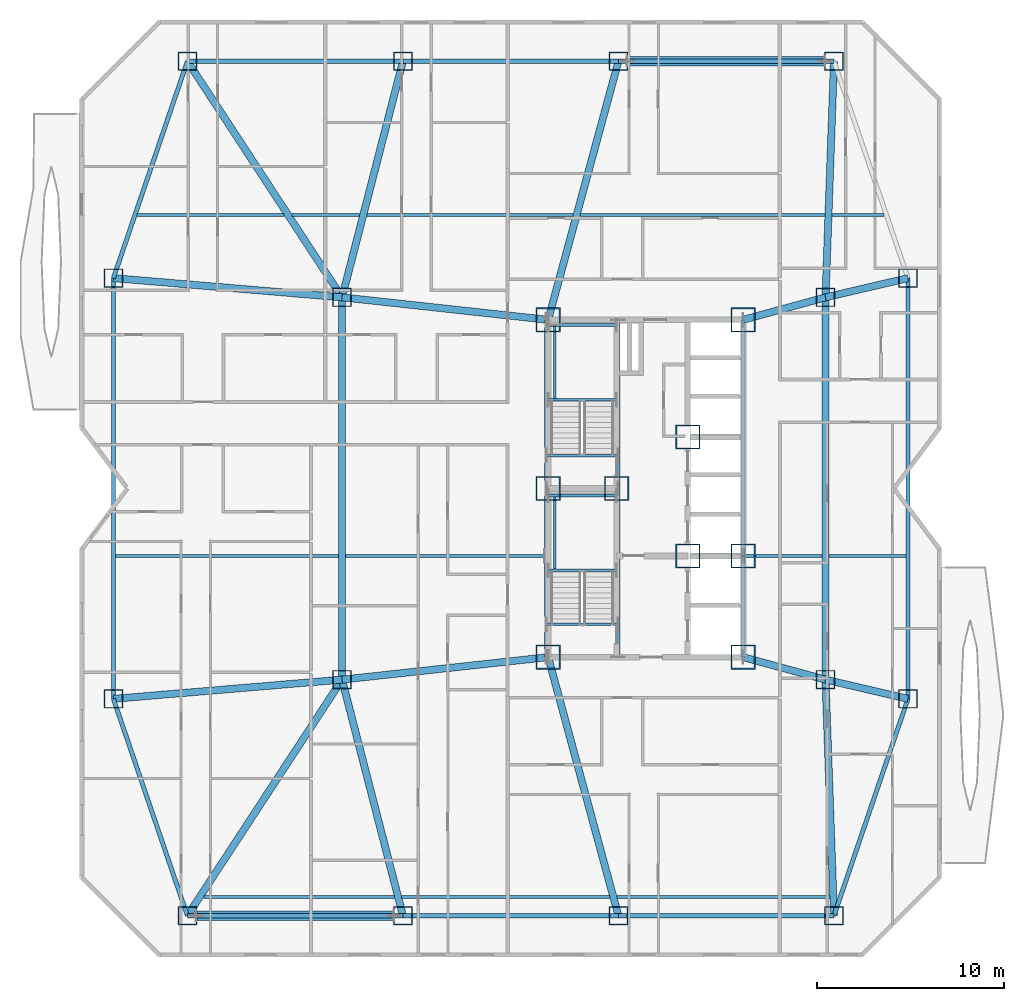
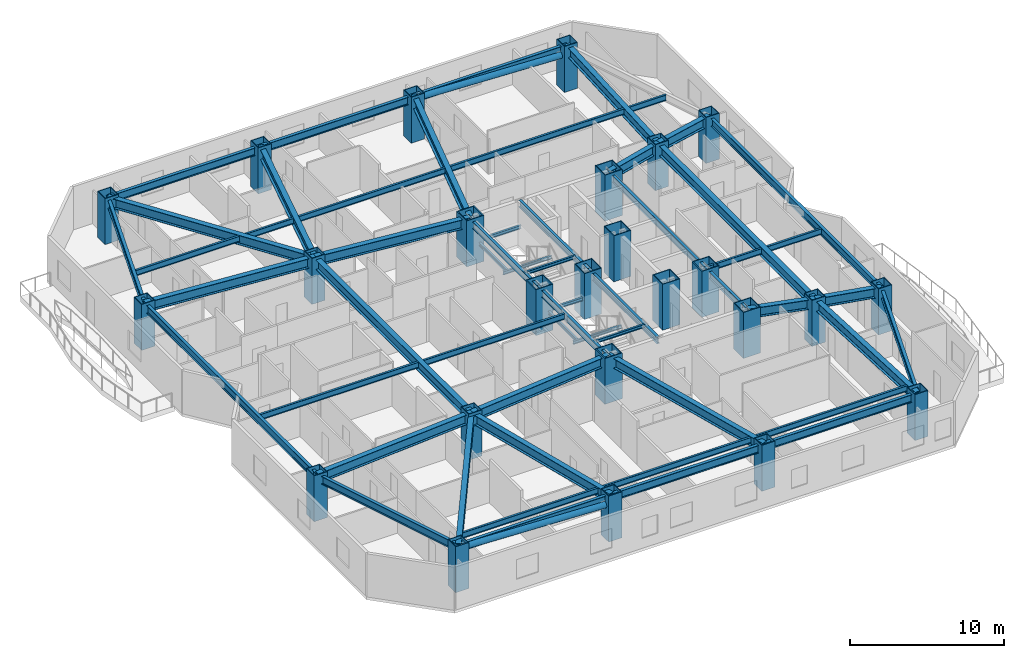
# One storey, part 1 of 16: 55 beams, 25 columns, 2 members.
"""IFC4 building model written with IfcOpenShell, lengths in metres."""

from ifc_helpers import new_model, si_unit, direction, frame, origin, origin_2d, place, context, subcontext, project, spatial, hollow_rectangle, hollow_circle, i_section, extrude, material, material_profile, profile_set, type_object, element, save


model = new_model("IFC4")

# Units and contexts
model_context = context("Model", 3, precision=1e-05, world=origin(), true_north=direction((0.0, 1.0)))
body_context = subcontext(model_context, "Body", "Model", "MODEL_VIEW")
ifc_project = project(units=[si_unit("LENGTHUNIT", "METRE"), si_unit("AREAUNIT", "SQUARE_METRE"), si_unit("VOLUMEUNIT", "CUBIC_METRE"), si_unit("PLANEANGLEUNIT", "RADIAN"), si_unit("MASSUNIT", "GRAM", prefix="KILO")], contexts=[model_context])

# Site, building, storey
site_placement = place(None, origin())
site = spatial("IfcSite", under=ifc_project, at=site_placement, CompositionType="ELEMENT")
building_placement = place(site_placement, origin())
building = spatial("IfcBuilding", under=site, at=building_placement, Name="Khamvora Tower", CompositionType="ELEMENT")
storey_placement = place(building_placement, frame((0.0, 0.0, 77.10009765625)))
storey = spatial("IfcBuildingStorey", under=building, at=storey_placement, Name="L19", CompositionType="ELEMENT", Elevation=77.10009765625)

# Columns
ifc_material_1 = material(Name="Steel S355", Category="steel")
ifc_material_profile_1 = material_profile(ifc_material_1, hollow_rectangle(XDim=1.0, YDim=1.0, WallThickness=0.050048828125, at=origin_2d()), Name="BOX1000x1000x50")
ifc_profile_set_1 = profile_set([ifc_material_profile_1], Name="Steel S355")
column_type_1 = type_object("IfcColumnType", Name="COL-BOX1000", PredefinedType="COLUMN", material=ifc_profile_set_1)
for number, where, z_axis, x_axis, name in (
    (1, (9.75, 5.199951171875, 0.0), (0.0, 0.0, 1.0), (1.0, 0.0, 0.0), "L19 structural frame column S1"),
    (2, (21.25, 5.199951171875, 0.0), (0.0, 0.0, 1.0), (1.0, 0.0, 0.0), "L19 structural frame column S2"),
    (3, (32.75, 5.199951171875, 0.0), (0.0, 0.0, 1.0), (1.0, 0.0, 0.0), "L19 structural frame column S3"),
    (4, (44.25, 5.199951171875, 0.0), (0.0, 0.0, 1.0), (1.0, 0.0, 0.0), "L19 structural frame column S4"),
    (5, (9.75, 50.800048828125, 0.0), (0.0, 0.0, 1.0), (1.0, 0.0, 0.0), "L19 structural frame column N1"),
    (6, (21.25, 50.800048828125, 0.0), (0.0, 0.0, 1.0), (1.0, 0.0, 0.0), "L19 structural frame column N2"),
    (7, (32.75, 50.800048828125, 0.0), (0.0, 0.0, 1.0), (1.0, 0.0, 0.0), "L19 structural frame column N3"),
    (8, (44.25, 50.800048828125, 0.0), (0.0, 0.0, 1.0), (1.0, 0.0, 0.0), "L19 structural frame column N4"),
    (9, (5.800048828125, 16.77490234375, 0.0), (0.0, 0.0, 1.0), (1.0, 0.0, 0.0), "L19 structural frame column W1"),
    (10, (5.800048828125, 39.22509765625, 0.0), (0.0, 0.0, 1.0), (1.0, 0.0, 0.0), "L19 structural frame column W2"),
    (11, (48.199951171875, 16.77490234375, 0.0), (0.0, 0.0, 1.0), (1.0, 0.0, 0.0), "L19 structural frame column E1"),
    (12, (48.199951171875, 39.22509765625, 0.0), (0.0, 0.0, 1.0), (1.0, 0.0, 0.0), "L19 structural frame column E2"),
    (13, (18.0, 17.800048828125, 0.0), (0.0, 0.0, 1.0), (1.0, 0.0, 0.0), "L19 structural frame column MW1"),
    (14, (18.0, 38.199951171875, 0.0), (0.0, 0.0, 1.0), (1.0, 0.0, 0.0), "L19 structural frame column MW2"),
    (15, (43.800048828125, 17.800048828125, 0.0), (0.0, 0.0, 1.0), (1.0, 0.0, 0.0), "L19 structural frame column M1"),
    (16, (43.800048828125, 38.199951171875, 0.0), (0.0, 0.0, 1.0), (1.0, 0.0, 0.0), "L19 structural frame column M2"),
):
    element("IfcColumn", number, at=place(storey_placement, frame(where, z_axis=z_axis, x_axis=x_axis)), inside=storey, type_object=column_type_1, Name=name, PredefinedType="COLUMN", context=body_context, shape_type="SweptSolid", body=[
        extrude(hollow_rectangle(XDim=1.0, YDim=1.0, WallThickness=0.050048828125, at=origin_2d()), origin(), (0.0, 0.0, 1.0), 3.64990234375),
    ])
ifc_material_2 = material(Name="Steel S460", Category="steel")
ifc_material_profile_2 = material_profile(ifc_material_2, hollow_rectangle(XDim=1.300048828125, YDim=1.300048828125, WallThickness=0.06494140625, at=origin_2d()), Name="BOX1300x1300x65")
ifc_profile_set_2 = profile_set([ifc_material_profile_2], Name="Steel S460")
column_type_2 = type_object("IfcColumnType", Name="COL-BOX1300", PredefinedType="COLUMN", material=ifc_profile_set_2)
for number, where, z_axis, x_axis, name in (
    (17, (29.0, 19.0, 0.0), (0.0, 0.0, 1.0), (1.0, 0.0, 0.0), "L19 plumb core spine column SC1"),
    (18, (32.64990234375, 28.0, 0.0), (0.0, 0.0, 1.0), (1.0, 0.0, 0.0), "L19 plumb core spine column SC2"),
    (19, (39.39990234375, 19.0, 0.0), (0.0, 0.0, 1.0), (1.0, 0.0, 0.0), "L19 plumb core spine column SC3"),
    (20, (29.0, 28.0, 0.0), (0.0, 0.0, 1.0), (1.0, 0.0, 0.0), "L19 plumb core spine column SC4"),
    (21, (36.449951171875, 24.39990234375, 0.0), (0.0, 0.0, 1.0), (1.0, 0.0, 0.0), "L19 plumb core spine column SC5"),
    (22, (39.39990234375, 24.39990234375, 0.0), (0.0, 0.0, 1.0), (1.0, 0.0, 0.0), "L19 plumb core spine column SC6"),
    (23, (29.0, 37.0, 0.0), (0.0, 0.0, 1.0), (1.0, 0.0, 0.0), "L19 plumb core spine column SC7"),
    (24, (36.449951171875, 30.75, 0.0), (0.0, 0.0, 1.0), (1.0, 0.0, 0.0), "L19 plumb core spine column SC8"),
    (25, (39.39990234375, 37.0, 0.0), (0.0, 0.0, 1.0), (1.0, 0.0, 0.0), "L19 plumb core spine column SC9"),
):
    element("IfcColumn", number, at=place(storey_placement, frame(where, z_axis=z_axis, x_axis=x_axis)), inside=storey, type_object=column_type_2, Name=name, PredefinedType="COLUMN", context=body_context, shape_type="SweptSolid", body=[
        extrude(hollow_rectangle(XDim=1.300048828125, YDim=1.300048828125, WallThickness=0.06494140625, at=origin_2d()), origin(), (0.0, 0.0, 1.0), 3.64990234375),
    ])

# Beams
ifc_material_profile_3 = material_profile(ifc_material_1, i_section(OverallWidth=0.154052734375, OverallDepth=0.458984375, WebThickness=0.009033203125, FlangeThickness=0.014892578125, FilletRadius=0.011962890625, at=origin_2d()), Name="W460x68")
ifc_profile_set_3 = profile_set([ifc_material_profile_3], Name="Steel S355")
beam_type_1 = type_object("IfcBeamType", Name="BM-JS-W460x68", PredefinedType="JOIST", material=ifc_profile_set_3)
beam_1_placement = place(storey_placement, frame((10.626953125, 6.199951171875, 3.199951171875), z_axis=(1.0, 0.0, 0.0), x_axis=(0.0, 1.0, 0.0)))
element("IfcBeam", 26, at=beam_1_placement, inside=storey, type_object=beam_type_1, Name="L19 secondary floor joist 01", PredefinedType="JOIST", context=body_context, shape_type="SweptSolid", body=[
    extrude(i_section(OverallWidth=0.154052734375, OverallDepth=0.458984375, WebThickness=0.009033203125, FlangeThickness=0.014892578125, FilletRadius=0.011962890625, at=origin_2d()), origin(), (0.0, 0.0, 1.0), 10.173095703125),
])
beam_2_placement = place(storey_placement, frame((21.18408203125, 6.199951171875, 3.199951171875), z_axis=(1.0, 0.0, 0.0), x_axis=(0.0, 1.0, 0.0)))
element("IfcBeam", 27, at=beam_2_placement, inside=storey, type_object=beam_type_1, Name="L19 secondary floor joist 02", PredefinedType="JOIST", context=body_context, shape_type="SweptSolid", body=[
    extrude(i_section(OverallWidth=0.154052734375, OverallDepth=0.458984375, WebThickness=0.009033203125, FlangeThickness=0.014892578125, FilletRadius=0.011962890625, at=origin_2d()), origin(), (0.0, 0.0, 1.0), 11.101806640625),
])
beam_3_placement = place(storey_placement, frame((32.6708984375, 6.199951171875, 3.199951171875), z_axis=(1.0, 0.0, 0.0), x_axis=(0.0, 1.0, 0.0)))
element("IfcBeam", 28, at=beam_3_placement, inside=storey, type_object=beam_type_1, Name="L19 secondary floor joist 03", PredefinedType="JOIST", context=body_context, shape_type="SweptSolid", body=[
    extrude(i_section(OverallWidth=0.154052734375, OverallDepth=0.458984375, WebThickness=0.009033203125, FlangeThickness=0.014892578125, FilletRadius=0.011962890625, at=origin_2d()), origin(), (0.0, 0.0, 1.0), 11.358154296875),
])
beam_4_placement = place(storey_placement, frame((5.909912109375, 24.39990234375, 3.199951171875), z_axis=(1.0, 0.0, 0.0), x_axis=(0.0, 1.0, 0.0)))
element("IfcBeam", 29, at=beam_4_placement, inside=storey, type_object=beam_type_1, Name="L19 secondary floor joist 04", PredefinedType="JOIST", context=body_context, shape_type="SweptSolid", body=[
    extrude(i_section(OverallWidth=0.154052734375, OverallDepth=0.458984375, WebThickness=0.009033203125, FlangeThickness=0.014892578125, FilletRadius=0.011962890625, at=origin_2d()), origin(), (0.0, 0.0, 1.0), 11.904052734375),
])
beam_5_placement = place(storey_placement, frame((18.18603515625, 24.39990234375, 3.199951171875), z_axis=(1.0, 0.0, 0.0), x_axis=(0.0, 1.0, 0.0)))
element("IfcBeam", 30, at=beam_5_placement, inside=storey, type_object=beam_type_1, Name="L19 secondary floor joist 05", PredefinedType="JOIST", context=body_context, shape_type="SweptSolid", body=[
    extrude(i_section(OverallWidth=0.154052734375, OverallDepth=0.458984375, WebThickness=0.009033203125, FlangeThickness=0.014892578125, FilletRadius=0.011962890625, at=origin_2d()), origin(), (0.0, 0.0, 1.0), 10.614013671875),
])
beam_6_placement = place(storey_placement, frame((39.4990234375, 24.39990234375, 3.199951171875), z_axis=(1.0, 0.0, 0.0), x_axis=(0.0, 1.0, 0.0)))
element("IfcBeam", 31, at=beam_6_placement, inside=storey, type_object=beam_type_1, Name="L19 secondary floor joist 06", PredefinedType="JOIST", context=body_context, shape_type="SweptSolid", body=[
    extrude(i_section(OverallWidth=0.154052734375, OverallDepth=0.458984375, WebThickness=0.009033203125, FlangeThickness=0.014892578125, FilletRadius=0.011962890625, at=origin_2d()), origin(), (0.0, 0.0, 1.0), 4.114990234375),
])
beam_7_placement = place(storey_placement, frame((43.985107421875, 24.39990234375, 3.199951171875), z_axis=(1.0, 0.0, 0.0), x_axis=(0.0, 1.0, 0.0)))
element("IfcBeam", 32, at=beam_7_placement, inside=storey, type_object=beam_type_1, Name="L19 secondary floor joist 07", PredefinedType="JOIST", context=body_context, shape_type="SweptSolid", body=[
    extrude(i_section(OverallWidth=0.154052734375, OverallDepth=0.458984375, WebThickness=0.009033203125, FlangeThickness=0.014892578125, FilletRadius=0.011962890625, at=origin_2d()), origin(), (0.0, 0.0, 1.0), 4.10498046875),
])
beam_8_placement = place(storey_placement, frame((7.068115234375, 42.60009765625, 3.199951171875), z_axis=(1.0, 0.0, 0.0), x_axis=(0.0, 1.0, 0.0)))
element("IfcBeam", 33, at=beam_8_placement, inside=storey, type_object=beam_type_1, Name="L19 secondary floor joist 08", PredefinedType="JOIST", context=body_context, shape_type="SweptSolid", body=[
    extrude(i_section(OverallWidth=0.154052734375, OverallDepth=0.458984375, WebThickness=0.009033203125, FlangeThickness=0.014892578125, FilletRadius=0.011962890625, at=origin_2d()), origin(), (0.0, 0.0, 1.0), 7.827880859375),
])
beam_9_placement = place(storey_placement, frame((15.342041015625, 42.60009765625, 3.199951171875), z_axis=(1.0, 0.0, 0.0), x_axis=(0.0, 1.0, 0.0)))
element("IfcBeam", 34, at=beam_9_placement, inside=storey, type_object=beam_type_1, Name="L19 secondary floor joist 09", PredefinedType="JOIST", context=body_context, shape_type="SweptSolid", body=[
    extrude(i_section(OverallWidth=0.154052734375, OverallDepth=0.458984375, WebThickness=0.009033203125, FlangeThickness=0.014892578125, FilletRadius=0.011962890625, at=origin_2d()), origin(), (0.0, 0.0, 1.0), 3.60107421875),
])
beam_10_placement = place(storey_placement, frame((19.326904296875, 42.60009765625, 3.199951171875), z_axis=(1.0, 0.0, 0.0), x_axis=(0.0, 1.0, 0.0)))
element("IfcBeam", 35, at=beam_10_placement, inside=storey, type_object=beam_type_1, Name="L19 secondary floor joist 10", PredefinedType="JOIST", context=body_context, shape_type="SweptSolid", body=[
    extrude(i_section(OverallWidth=0.154052734375, OverallDepth=0.458984375, WebThickness=0.009033203125, FlangeThickness=0.014892578125, FilletRadius=0.011962890625, at=origin_2d()), origin(), (0.0, 0.0, 1.0), 11.002197265625),
])
beam_11_placement = place(storey_placement, frame((30.714111328125, 42.60009765625, 3.199951171875), z_axis=(1.0, 0.0, 0.0), x_axis=(0.0, 1.0, 0.0)))
element("IfcBeam", 36, at=beam_11_placement, inside=storey, type_object=beam_type_1, Name="L19 secondary floor joist 11", PredefinedType="JOIST", context=body_context, shape_type="SweptSolid", body=[
    extrude(i_section(OverallWidth=0.154052734375, OverallDepth=0.458984375, WebThickness=0.009033203125, FlangeThickness=0.014892578125, FilletRadius=0.011962890625, at=origin_2d()), origin(), (0.0, 0.0, 1.0), 13.057861328125),
])
beam_12_placement = place(storey_placement, frame((44.14306640625, 42.60009765625, 3.199951171875), z_axis=(1.0, 0.0, 0.0), x_axis=(0.0, 1.0, 0.0)))
element("IfcBeam", 37, at=beam_12_placement, inside=storey, type_object=beam_type_1, Name="L19 secondary floor joist 12", PredefinedType="JOIST", context=body_context, shape_type="SweptSolid", body=[
    extrude(i_section(OverallWidth=0.154052734375, OverallDepth=0.458984375, WebThickness=0.009033203125, FlangeThickness=0.014892578125, FilletRadius=0.011962890625, at=origin_2d()), origin(), (0.0, 0.0, 1.0), 2.788818359375),
])
ifc_material_profile_4 = material_profile(ifc_material_1, i_section(OverallWidth=0.14697265625, OverallDepth=0.261962890625, WebThickness=0.007080078125, FlangeThickness=0.010986328125, FilletRadius=0.008056640625, at=origin_2d()), Name="W250x39")
ifc_profile_set_4 = profile_set([ifc_material_profile_4], Name="Steel S355")
beam_type_2 = type_object("IfcBeamType", Name="BM-LN-W250x39", PredefinedType="LINTEL", material=ifc_profile_set_4)
for number, where, z_axis, x_axis, name in (
    (38, (29.0, 23.635009765625, 1.493896484375), (1.0, 0.0, 0.0), (0.0, 1.0, 0.0), "L19 ST-01 half-landing support beam 1.1"),
    (39, (29.0, 27.6298828125, 1.493896484375), (1.0, 0.0, 0.0), (0.0, 1.0, 0.0), "L19 ST-01 half-landing support beam 1.2"),
):
    element("IfcBeam", number, at=place(storey_placement, frame(where, z_axis=z_axis, x_axis=x_axis)), inside=storey, type_object=beam_type_2, Name=name, PredefinedType="LINTEL", context=body_context, shape_type="SweptSolid", body=[
        extrude(i_section(OverallWidth=0.14697265625, OverallDepth=0.261962890625, WebThickness=0.007080078125, FlangeThickness=0.010986328125, FilletRadius=0.008056640625, at=origin_2d()), origin(), (0.0, 0.0, 1.0), 3.64990234375),
    ])
beam_13_placement = place(storey_placement, frame((29.35009765625, 23.635009765625, 1.493896484375), z_axis=(0.0, 1.0, 0.0), x_axis=(-1.0, 0.0, 0.0)))
element("IfcBeam", 40, at=beam_13_placement, inside=storey, type_object=beam_type_2, Name="L19 ST-01 half-landing edge stringer 1", PredefinedType="LINTEL", context=body_context, shape_type="SweptSolid", body=[
    extrude(i_section(OverallWidth=0.14697265625, OverallDepth=0.261962890625, WebThickness=0.007080078125, FlangeThickness=0.010986328125, FilletRadius=0.008056640625, at=origin_2d()), origin(), (0.0, 0.0, 1.0), 3.994873046875),
])
for number, where, z_axis, x_axis, name in (
    (41, (29.0, 32.735107421875, 1.493896484375), (1.0, 0.0, 0.0), (0.0, 1.0, 0.0), "L19 ST-02 half-landing support beam 1.1"),
    (42, (29.0, 36.72998046875, 1.493896484375), (1.0, 0.0, 0.0), (0.0, 1.0, 0.0), "L19 ST-02 half-landing support beam 1.2"),
):
    element("IfcBeam", number, at=place(storey_placement, frame(where, z_axis=z_axis, x_axis=x_axis)), inside=storey, type_object=beam_type_2, Name=name, PredefinedType="LINTEL", context=body_context, shape_type="SweptSolid", body=[
        extrude(i_section(OverallWidth=0.14697265625, OverallDepth=0.261962890625, WebThickness=0.007080078125, FlangeThickness=0.010986328125, FilletRadius=0.008056640625, at=origin_2d()), origin(), (0.0, 0.0, 1.0), 3.64990234375),
    ])
beam_14_placement = place(storey_placement, frame((29.35009765625, 32.735107421875, 1.493896484375), z_axis=(0.0, 1.0, 0.0), x_axis=(-1.0, 0.0, 0.0)))
element("IfcBeam", 43, at=beam_14_placement, inside=storey, type_object=beam_type_2, Name="L19 ST-02 half-landing edge stringer 1", PredefinedType="LINTEL", context=body_context, shape_type="SweptSolid", body=[
    extrude(i_section(OverallWidth=0.14697265625, OverallDepth=0.261962890625, WebThickness=0.007080078125, FlangeThickness=0.010986328125, FilletRadius=0.008056640625, at=origin_2d()), origin(), (0.0, 0.0, 1.0), 3.994873046875),
])
for number, where, z_axis, x_axis, name in (
    (44, (28.89990234375, 20.75, 3.303955078125), (1.0, 0.0, 0.0), (0.0, 1.0, 0.0), "L19 exit stair ST-01 landing trimmer beam"),
    (45, (28.89990234375, 29.75, 3.303955078125), (1.0, 0.0, 0.0), (0.0, 1.0, 0.0), "L19 exit stair ST-02 landing trimmer beam"),
):
    element("IfcBeam", number, at=place(storey_placement, frame(where, z_axis=z_axis, x_axis=x_axis)), inside=storey, type_object=beam_type_2, Name=name, PredefinedType="LINTEL", context=body_context, shape_type="SweptSolid", body=[
        extrude(i_section(OverallWidth=0.14697265625, OverallDepth=0.261962890625, WebThickness=0.007080078125, FlangeThickness=0.010986328125, FilletRadius=0.008056640625, at=origin_2d()), origin(), (0.0, 0.0, 1.0), 3.830078125),
    ])
ifc_material_profile_5 = material_profile(ifc_material_1, i_section(OverallWidth=0.381103515625, OverallDepth=0.77294921875, WebThickness=0.01708984375, FlangeThickness=0.027099609375, FilletRadius=0.01806640625, at=origin_2d()), Name="W760x257")
ifc_profile_set_5 = profile_set([ifc_material_profile_5], Name="Steel S355")
beam_type_3 = type_object("IfcBeamType", Name="BM-PG-W760x257", PredefinedType="BEAM", material=ifc_profile_set_5)
for number, where, z_axis, x_axis, name in (
    (46, (43.800048828125, 17.800048828125, 3.0439453125), (0.0, 1.0, 0.0), (-1.0, 0.0, 0.0), "L19 longitudinal frame girder M1-M2"),
    (47, (18.0, 17.800048828125, 3.0439453125), (0.0, 1.0, 0.0), (-1.0, 0.0, 0.0), "L19 longitudinal frame girder MW1-MW2"),
):
    element("IfcBeam", number, at=place(storey_placement, frame(where, z_axis=z_axis, x_axis=x_axis)), inside=storey, type_object=beam_type_3, Name=name, PredefinedType="BEAM", context=body_context, shape_type="SweptSolid", body=[
        extrude(i_section(OverallWidth=0.381103515625, OverallDepth=0.77294921875, WebThickness=0.01708984375, FlangeThickness=0.027099609375, FilletRadius=0.01806640625, at=origin_2d()), origin(), (0.0, 0.0, 1.0), 20.39990234375),
    ])
beam_15_placement = place(storey_placement, frame((18.0, 17.800048828125, 3.0439453125), z_axis=(-0.547782969742, -0.836620474325, 0.0), x_axis=(0.836620474325, -0.547782969742, 0.0)))
element("IfcBeam", 48, at=beam_15_placement, inside=storey, type_object=beam_type_3, Name="L19 primary floor girder S1", PredefinedType="BEAM", context=body_context, shape_type="SweptSolid", body=[
    extrude(i_section(OverallWidth=0.381103515625, OverallDepth=0.77294921875, WebThickness=0.01708984375, FlangeThickness=0.027099609375, FilletRadius=0.01806640625, at=origin_2d()), origin(), (0.0, 0.0, 1.0), 15.060791015625),
])
beam_16_placement = place(storey_placement, frame((18.0, 17.800048828125, 3.0439453125), z_axis=(0.249759990341, -0.968307775051, 0.0), x_axis=(0.968307775051, 0.249759990341, 0.0)))
element("IfcBeam", 49, at=beam_16_placement, inside=storey, type_object=beam_type_3, Name="L19 primary floor girder S2", PredefinedType="BEAM", context=body_context, shape_type="SweptSolid", body=[
    extrude(i_section(OverallWidth=0.381103515625, OverallDepth=0.77294921875, WebThickness=0.01708984375, FlangeThickness=0.027099609375, FilletRadius=0.01806640625, at=origin_2d()), origin(), (0.0, 0.0, 1.0), 13.012451171875),
])
beam_17_placement = place(storey_placement, frame((29.0, 19.0, 3.0439453125), z_axis=(0.262228883577, -0.965005706003, 0.0), x_axis=(0.965005706003, 0.262228883577, 0.0)))
element("IfcBeam", 50, at=beam_17_placement, inside=storey, type_object=beam_type_3, Name="L19 primary floor girder S3", PredefinedType="BEAM", context=body_context, shape_type="SweptSolid", body=[
    extrude(i_section(OverallWidth=0.381103515625, OverallDepth=0.77294921875, WebThickness=0.01708984375, FlangeThickness=0.027099609375, FilletRadius=0.01806640625, at=origin_2d()), origin(), (0.0, 0.0, 1.0), 14.300537109375),
])
beam_18_placement = place(storey_placement, frame((43.800048828125, 17.800048828125, 3.0439453125), z_axis=(0.035687386423, -0.999363002342, 0.0), x_axis=(0.999363002342, 0.035687386423, 0.0)))
element("IfcBeam", 51, at=beam_18_placement, inside=storey, type_object=beam_type_3, Name="L19 primary floor girder S4", PredefinedType="BEAM", context=body_context, shape_type="SweptSolid", body=[
    extrude(i_section(OverallWidth=0.381103515625, OverallDepth=0.77294921875, WebThickness=0.01708984375, FlangeThickness=0.027099609375, FilletRadius=0.01806640625, at=origin_2d()), origin(), (0.0, 0.0, 1.0), 12.608154296875),
])
beam_19_placement = place(storey_placement, frame((18.0, 38.199951171875, 3.0439453125), z_axis=(-0.547782969742, 0.836620474325, 0.0), x_axis=(-0.836620474325, -0.547782969742, 0.0)))
element("IfcBeam", 52, at=beam_19_placement, inside=storey, type_object=beam_type_3, Name="L19 primary floor girder N1", PredefinedType="BEAM", context=body_context, shape_type="SweptSolid", body=[
    extrude(i_section(OverallWidth=0.381103515625, OverallDepth=0.77294921875, WebThickness=0.01708984375, FlangeThickness=0.027099609375, FilletRadius=0.01806640625, at=origin_2d()), origin(), (0.0, 0.0, 1.0), 15.060791015625),
])
beam_20_placement = place(storey_placement, frame((18.0, 38.199951171875, 3.0439453125), z_axis=(0.249759990341, 0.968307775051, 0.0), x_axis=(-0.968307775051, 0.249759990341, 0.0)))
element("IfcBeam", 53, at=beam_20_placement, inside=storey, type_object=beam_type_3, Name="L19 primary floor girder N2", PredefinedType="BEAM", context=body_context, shape_type="SweptSolid", body=[
    extrude(i_section(OverallWidth=0.381103515625, OverallDepth=0.77294921875, WebThickness=0.01708984375, FlangeThickness=0.027099609375, FilletRadius=0.01806640625, at=origin_2d()), origin(), (0.0, 0.0, 1.0), 13.012451171875),
])
beam_21_placement = place(storey_placement, frame((29.0, 37.0, 3.0439453125), z_axis=(0.262228883577, 0.965005706003, 0.0), x_axis=(-0.965005706003, 0.262228883577, 0.0)))
element("IfcBeam", 54, at=beam_21_placement, inside=storey, type_object=beam_type_3, Name="L19 primary floor girder N3", PredefinedType="BEAM", context=body_context, shape_type="SweptSolid", body=[
    extrude(i_section(OverallWidth=0.381103515625, OverallDepth=0.77294921875, WebThickness=0.01708984375, FlangeThickness=0.027099609375, FilletRadius=0.01806640625, at=origin_2d()), origin(), (0.0, 0.0, 1.0), 14.300537109375),
])
beam_22_placement = place(storey_placement, frame((43.800048828125, 38.199951171875, 3.0439453125), z_axis=(0.035687386423, 0.999363002342, 0.0), x_axis=(-0.999363002342, 0.035687386423, 0.0)))
element("IfcBeam", 55, at=beam_22_placement, inside=storey, type_object=beam_type_3, Name="L19 primary floor girder N4", PredefinedType="BEAM", context=body_context, shape_type="SweptSolid", body=[
    extrude(i_section(OverallWidth=0.381103515625, OverallDepth=0.77294921875, WebThickness=0.01708984375, FlangeThickness=0.027099609375, FilletRadius=0.01806640625, at=origin_2d()), origin(), (0.0, 0.0, 1.0), 12.608154296875),
])
for number, where, z_axis, x_axis, name in (
    (56, (18.0, 17.800048828125, 3.0439453125), (-0.996488172114, -0.083733642207, 0.0), (0.083733642207, -0.996488172114, 0.0), "L19 primary floor girder W1"),
    (57, (18.0, 38.199951171875, 3.0439453125), (-0.996488172114, 0.083733642207, 0.0), (-0.083733642207, -0.996488172114, 0.0), "L19 primary floor girder W2"),
):
    element("IfcBeam", number, at=place(storey_placement, frame(where, z_axis=z_axis, x_axis=x_axis)), inside=storey, type_object=beam_type_3, Name=name, PredefinedType="BEAM", context=body_context, shape_type="SweptSolid", body=[
        extrude(i_section(OverallWidth=0.381103515625, OverallDepth=0.77294921875, WebThickness=0.01708984375, FlangeThickness=0.027099609375, FilletRadius=0.01806640625, at=origin_2d()), origin(), (0.0, 0.0, 1.0), 12.242919921875),
    ])
for number, where, z_axis, x_axis, name in (
    (58, (43.800048828125, 17.800048828125, 3.0439453125), (0.973914503503, -0.226915270237, 0.0), (0.226915270237, 0.973914503503, 0.0), "L19 primary floor girder E1"),
    (59, (43.800048828125, 38.199951171875, 3.0439453125), (0.973914503503, 0.226915270237, 0.0), (-0.226915270237, 0.973914503503, 0.0), "L19 primary floor girder E2"),
):
    element("IfcBeam", number, at=place(storey_placement, frame(where, z_axis=z_axis, x_axis=x_axis)), inside=storey, type_object=beam_type_3, Name=name, PredefinedType="BEAM", context=body_context, shape_type="SweptSolid", body=[
        extrude(i_section(OverallWidth=0.381103515625, OverallDepth=0.77294921875, WebThickness=0.01708984375, FlangeThickness=0.027099609375, FilletRadius=0.01806640625, at=origin_2d()), origin(), (0.0, 0.0, 1.0), 4.517822265625),
    ])
for number, where, z_axis, x_axis, name in (
    (60, (29.0, 19.0, 3.0439453125), (-0.994102652327, -0.108443149329, 0.0), (0.108443149329, -0.994102652327, 0.0), "L19 primary floor girder MW1"),
    (61, (29.0, 37.0, 3.0439453125), (-0.994102652327, 0.108443149329, 0.0), (-0.108443149329, -0.994102652327, 0.0), "L19 primary floor girder MW2"),
):
    element("IfcBeam", number, at=place(storey_placement, frame(where, z_axis=z_axis, x_axis=x_axis)), inside=storey, type_object=beam_type_3, Name=name, PredefinedType="BEAM", context=body_context, shape_type="SweptSolid", body=[
        extrude(i_section(OverallWidth=0.381103515625, OverallDepth=0.77294921875, WebThickness=0.01708984375, FlangeThickness=0.027099609375, FilletRadius=0.01806640625, at=origin_2d()), origin(), (0.0, 0.0, 1.0), 11.065185546875),
    ])
for number, where, z_axis, x_axis, name in (
    (62, (39.39990234375, 19.0, 3.0439453125), (0.964768762286, -0.263099287945, 0.0), (0.263099287945, 0.964768762286, 0.0), "L19 primary floor girder M1"),
    (63, (39.39990234375, 37.0, 3.0439453125), (0.964768762286, 0.263099287945, 0.0), (-0.263099287945, 0.964768762286, 0.0), "L19 primary floor girder M2"),
):
    element("IfcBeam", number, at=place(storey_placement, frame(where, z_axis=z_axis, x_axis=x_axis)), inside=storey, type_object=beam_type_3, Name=name, PredefinedType="BEAM", context=body_context, shape_type="SweptSolid", body=[
        extrude(i_section(OverallWidth=0.381103515625, OverallDepth=0.77294921875, WebThickness=0.01708984375, FlangeThickness=0.027099609375, FilletRadius=0.01806640625, at=origin_2d()), origin(), (0.0, 0.0, 1.0), 4.560791015625),
    ])
ifc_material_profile_6 = material_profile(ifc_material_1, i_section(OverallWidth=0.208984375, OverallDepth=0.532958984375, WebThickness=0.010009765625, FlangeThickness=0.01611328125, FilletRadius=0.013916015625, at=origin_2d()), Name="W530x92")
ifc_profile_set_6 = profile_set([ifc_material_profile_6], Name="Steel S355")
beam_type_4 = type_object("IfcBeamType", Name="BM-SP-W530x92", PredefinedType="SPANDREL", material=ifc_profile_set_6)
for number, where, z_axis, x_axis, name in (
    (64, (28.89990234375, 19.0, 3.163818359375), (0.0, 1.0, 0.0), (-1.0, 0.0, 0.0), "L19 core spine girder WS"),
    (65, (28.89990234375, 28.0, 3.163818359375), (0.0, 1.0, 0.0), (-1.0, 0.0, 0.0), "L19 core spine girder WN"),
    (66, (32.72998046875, 19.0, 3.163818359375), (0.0, 1.0, 0.0), (-1.0, 0.0, 0.0), "L19 core spine girder M1S"),
    (67, (32.72998046875, 28.0, 3.163818359375), (0.0, 1.0, 0.0), (-1.0, 0.0, 0.0), "L19 core spine girder M1N"),
):
    element("IfcBeam", number, at=place(storey_placement, frame(where, z_axis=z_axis, x_axis=x_axis)), inside=storey, type_object=beam_type_4, Name=name, PredefinedType="SPANDREL", context=body_context, shape_type="SweptSolid", body=[
        extrude(i_section(OverallWidth=0.208984375, OverallDepth=0.532958984375, WebThickness=0.010009765625, FlangeThickness=0.01611328125, FilletRadius=0.013916015625, at=origin_2d()), origin(), (0.0, 0.0, 1.0), 9.0),
    ])
beam_23_placement = place(storey_placement, frame((39.39990234375, 19.0, 3.163818359375), z_axis=(0.0, 1.0, 0.0), x_axis=(-1.0, 0.0, 0.0)))
element("IfcBeam", 68, at=beam_23_placement, inside=storey, type_object=beam_type_4, Name="L19 core spine girder ES", PredefinedType="SPANDREL", context=body_context, shape_type="SweptSolid", body=[
    extrude(i_section(OverallWidth=0.208984375, OverallDepth=0.532958984375, WebThickness=0.010009765625, FlangeThickness=0.01611328125, FilletRadius=0.013916015625, at=origin_2d()), origin(), (0.0, 0.0, 1.0), 5.39990234375),
])
beam_24_placement = place(storey_placement, frame((39.39990234375, 24.39990234375, 3.163818359375), z_axis=(0.0, 1.0, 0.0), x_axis=(-1.0, 0.0, 0.0)))
element("IfcBeam", 69, at=beam_24_placement, inside=storey, type_object=beam_type_4, Name="L19 core spine girder EN", PredefinedType="SPANDREL", context=body_context, shape_type="SweptSolid", body=[
    extrude(i_section(OverallWidth=0.208984375, OverallDepth=0.532958984375, WebThickness=0.010009765625, FlangeThickness=0.01611328125, FilletRadius=0.013916015625, at=origin_2d()), origin(), (0.0, 0.0, 1.0), 12.60009765625),
])
ifc_material_profile_7 = material_profile(ifc_material_1, i_section(OverallWidth=0.22998046875, OverallDepth=0.616943359375, WebThickness=0.012939453125, FlangeThickness=0.02197265625, FilletRadius=0.013916015625, at=origin_2d()), Name="W610x140")
ifc_profile_set_7 = profile_set([ifc_material_profile_7], Name="Steel S355")
beam_type_5 = type_object("IfcBeamType", Name="BM-SP-W610x140", PredefinedType="SPANDREL", material=ifc_profile_set_7)
beam_25_placement = place(storey_placement, frame((5.800048828125, 16.77490234375, 3.121826171875), z_axis=(0.322962893199, -0.946411628002, 0.0), x_axis=(0.946411628002, 0.322962893199, 0.0)))
element("IfcBeam", 70, at=beam_25_placement, inside=storey, type_object=beam_type_5, Name="L19 perimeter spandrel beam W1-S1", PredefinedType="SPANDREL", context=body_context, shape_type="SweptSolid", body=[
    extrude(i_section(OverallWidth=0.22998046875, OverallDepth=0.616943359375, WebThickness=0.012939453125, FlangeThickness=0.02197265625, FilletRadius=0.013916015625, at=origin_2d()), origin(), (0.0, 0.0, 1.0), 12.23046875),
])
for number, where, z_axis, x_axis, name in (
    (71, (9.75, 5.199951171875, 3.121826171875), (1.0, 0.0, 0.0), (0.0, 1.0, 0.0), "L19 perimeter spandrel beam S1-S2"),
    (72, (21.25, 5.199951171875, 3.121826171875), (1.0, 0.0, 0.0), (0.0, 1.0, 0.0), "L19 perimeter spandrel beam S2-S3"),
    (73, (32.75, 5.199951171875, 3.121826171875), (1.0, 0.0, 0.0), (0.0, 1.0, 0.0), "L19 perimeter spandrel beam S3-S4"),
):
    element("IfcBeam", number, at=place(storey_placement, frame(where, z_axis=z_axis, x_axis=x_axis)), inside=storey, type_object=beam_type_5, Name=name, PredefinedType="SPANDREL", context=body_context, shape_type="SweptSolid", body=[
        extrude(i_section(OverallWidth=0.22998046875, OverallDepth=0.616943359375, WebThickness=0.012939453125, FlangeThickness=0.02197265625, FilletRadius=0.013916015625, at=origin_2d()), origin(), (0.0, 0.0, 1.0), 11.5),
    ])
beam_26_placement = place(storey_placement, frame((44.25, 5.199951171875, 3.121826171875), z_axis=(0.322962893199, 0.946411628002, 0.0), x_axis=(-0.946411628002, 0.322962893199, 0.0)))
element("IfcBeam", 74, at=beam_26_placement, inside=storey, type_object=beam_type_5, Name="L19 perimeter spandrel beam S4-E1", PredefinedType="SPANDREL", context=body_context, shape_type="SweptSolid", body=[
    extrude(i_section(OverallWidth=0.22998046875, OverallDepth=0.616943359375, WebThickness=0.012939453125, FlangeThickness=0.02197265625, FilletRadius=0.013916015625, at=origin_2d()), origin(), (0.0, 0.0, 1.0), 12.23046875),
])
beam_27_placement = place(storey_placement, frame((48.199951171875, 16.77490234375, 3.121826171875), z_axis=(0.0, 1.0, 0.0), x_axis=(-1.0, 0.0, 0.0)))
element("IfcBeam", 75, at=beam_27_placement, inside=storey, type_object=beam_type_5, Name="L19 perimeter spandrel beam E1-E2", PredefinedType="SPANDREL", context=body_context, shape_type="SweptSolid", body=[
    extrude(i_section(OverallWidth=0.22998046875, OverallDepth=0.616943359375, WebThickness=0.012939453125, FlangeThickness=0.02197265625, FilletRadius=0.013916015625, at=origin_2d()), origin(), (0.0, 0.0, 1.0), 22.4501953125),
])
for number, where, z_axis, x_axis, name in (
    (76, (44.25, 50.800048828125, 3.121826171875), (-1.0, 0.0, 0.0), (0.0, -1.0, 0.0), "L19 perimeter spandrel beam N4-N3"),
    (77, (32.75, 50.800048828125, 3.121826171875), (-1.0, 0.0, 0.0), (0.0, -1.0, 0.0), "L19 perimeter spandrel beam N3-N2"),
    (78, (21.25, 50.800048828125, 3.121826171875), (-1.0, 0.0, 0.0), (0.0, -1.0, 0.0), "L19 perimeter spandrel beam N2-N1"),
):
    element("IfcBeam", number, at=place(storey_placement, frame(where, z_axis=z_axis, x_axis=x_axis)), inside=storey, type_object=beam_type_5, Name=name, PredefinedType="SPANDREL", context=body_context, shape_type="SweptSolid", body=[
        extrude(i_section(OverallWidth=0.22998046875, OverallDepth=0.616943359375, WebThickness=0.012939453125, FlangeThickness=0.02197265625, FilletRadius=0.013916015625, at=origin_2d()), origin(), (0.0, 0.0, 1.0), 11.5),
    ])
beam_28_placement = place(storey_placement, frame((9.75, 50.800048828125, 3.121826171875), z_axis=(-0.322962893199, -0.946411628002, 0.0), x_axis=(0.946411628002, -0.322962893199, 0.0)))
element("IfcBeam", 79, at=beam_28_placement, inside=storey, type_object=beam_type_5, Name="L19 perimeter spandrel beam N1-W2", PredefinedType="SPANDREL", context=body_context, shape_type="SweptSolid", body=[
    extrude(i_section(OverallWidth=0.22998046875, OverallDepth=0.616943359375, WebThickness=0.012939453125, FlangeThickness=0.02197265625, FilletRadius=0.013916015625, at=origin_2d()), origin(), (0.0, 0.0, 1.0), 12.23046875),
])
beam_29_placement = place(storey_placement, frame((5.800048828125, 39.22509765625, 3.121826171875), z_axis=(0.0, -1.0, 0.0), x_axis=(1.0, 0.0, 0.0)))
element("IfcBeam", 80, at=beam_29_placement, inside=storey, type_object=beam_type_5, Name="L19 perimeter spandrel beam W2-W1", PredefinedType="SPANDREL", context=body_context, shape_type="SweptSolid", body=[
    extrude(i_section(OverallWidth=0.22998046875, OverallDepth=0.616943359375, WebThickness=0.012939453125, FlangeThickness=0.02197265625, FilletRadius=0.013916015625, at=origin_2d()), origin(), (0.0, 0.0, 1.0), 22.4501953125),
])

# Members
ifc_material_profile_8 = material_profile(ifc_material_2, hollow_circle(Radius=0.25390625, WallThickness=0.02490234375, at=origin_2d()), Name="CHS508x25")
ifc_profile_set_8 = profile_set([ifc_material_profile_8], Name="Steel S460")
member_type = type_object("IfcMemberType", Name="MEM-BR-CHS508", PredefinedType="BRACE", material=ifc_profile_set_8)
for number, where, z_axis, x_axis, name in (
    (81, (20.77001953125, 5.199951171875, 2.697998046875), (-0.999258916431, 0.0, 0.038491790467), (0.0, -1.0, 0.0), "L19 perimeter wind brace 1"),
    (82, (43.77001953125, 50.800048828125, 2.697998046875), (-0.999258916431, 0.0, 0.038491790467), (0.0, -1.0, 0.0), "L19 perimeter wind brace 2"),
):
    element("IfcMember", number, at=place(storey_placement, frame(where, z_axis=z_axis, x_axis=x_axis)), inside=storey, type_object=member_type, Name=name, PredefinedType="BRACE", context=body_context, shape_type="SweptSolid", body=[
        extrude(hollow_circle(Radius=0.25390625, WallThickness=0.02490234375, at=origin_2d()), origin(), (0.0, 0.0, 1.0), 10.5478515625),
    ])

save(model, "model.ifc")
